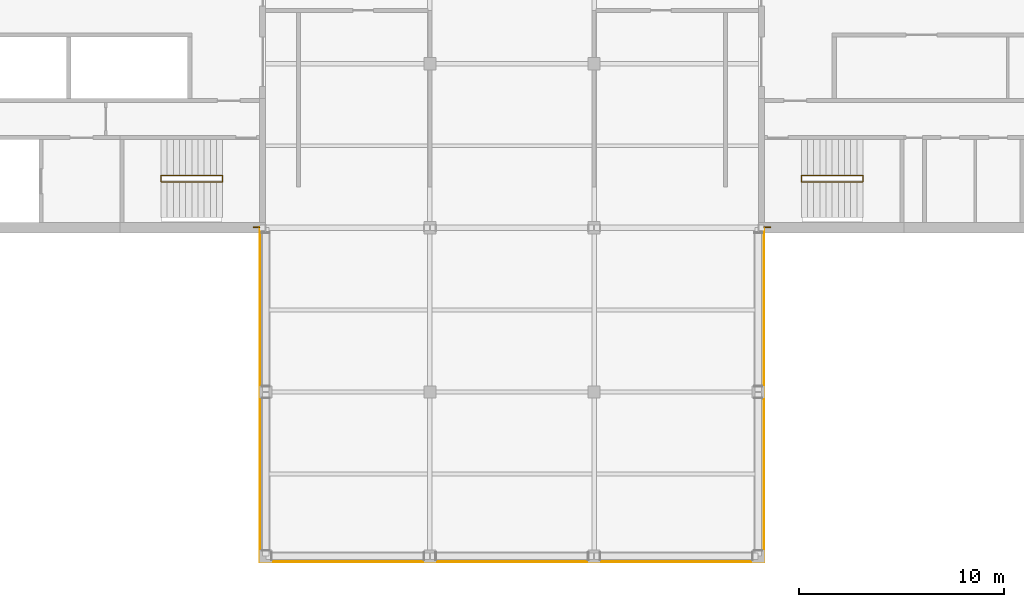
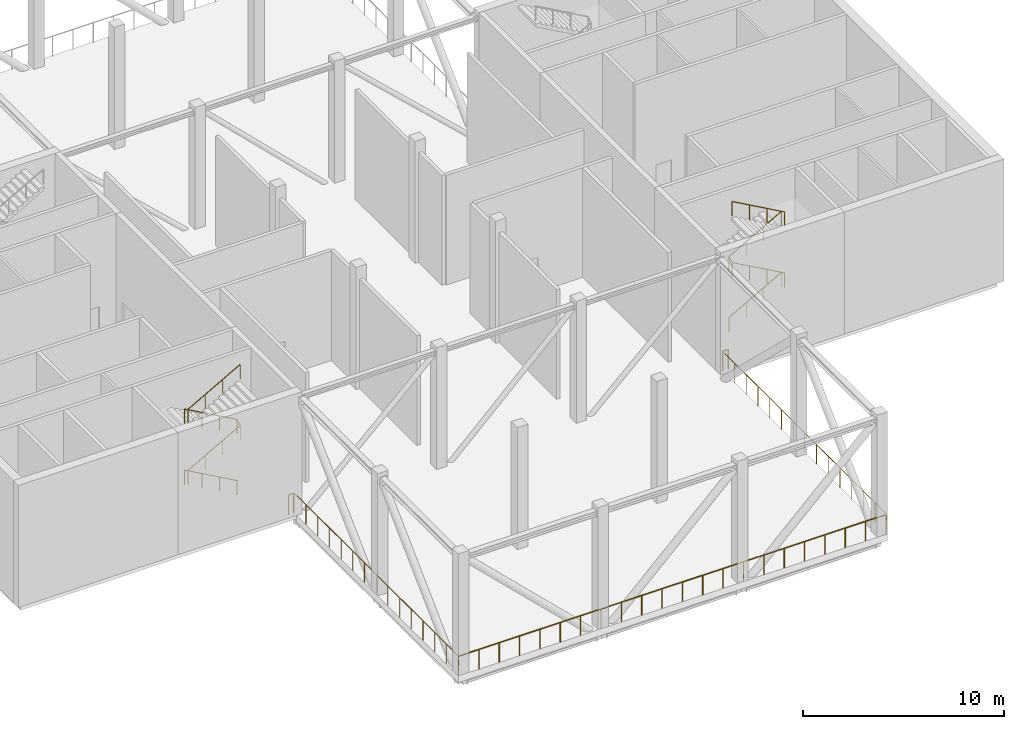
# One storey, part 8 of 9: 7 railings.
"""IFC4 building model written with IfcOpenShell, lengths in metres."""

from ifc_helpers import new_model, si_unit, direction, frame, origin, origin_2d, place, context, subcontext, project, spatial, circle, extrude, material, type_object, element, save


model = new_model("IFC4")

# Units and contexts
model_context = context("Model", 3, precision=1e-05, world=origin(), true_north=direction((0.0, 1.0)))
body_context = subcontext(model_context, "Body", "Model", "MODEL_VIEW")
ifc_project = project(units=[si_unit("LENGTHUNIT", "METRE"), si_unit("AREAUNIT", "SQUARE_METRE"), si_unit("VOLUMEUNIT", "CUBIC_METRE"), si_unit("PLANEANGLEUNIT", "RADIAN"), si_unit("MASSUNIT", "GRAM", prefix="KILO")], contexts=[model_context])

# Site, building, storey
site_placement = place(None, origin())
site = spatial("IfcSite", under=ifc_project, at=site_placement, CompositionType="ELEMENT")
building_placement = place(site_placement, origin())
building = spatial("IfcBuilding", under=site, at=building_placement, Name="Crosswind Convention Tower", CompositionType="ELEMENT")
storey_placement = place(building_placement, frame((0.0, 0.0, 303.89990234375)))
storey = spatial("IfcBuildingStorey", under=building, at=storey_placement, Name="L66", CompositionType="ELEMENT", Elevation=303.89990234375)

# Railings
ifc_material_1 = material(Name="Stainless steel", Category="steel")
railing_type_1 = type_object("IfcRailingType", Name="Stair handrail 900", PredefinedType="HANDRAIL", material=ifc_material_1)
railing_1_placement = place(storey_placement, frame((139.10009765625, 90.56005859375, 0.168212890625)))
element("IfcRailing", 1, at=railing_1_placement, inside=storey, type_object=railing_type_1, Name="Stair ST2 handrail L66", PredefinedType="HANDRAIL", context=body_context, shape_type="SweptSolid", body=[
    extrude(circle(Radius=0.02392578125, at=origin_2d()), frame((0.0, 0.0, 0.8759765625), z_axis=(0.872272294576, 0.0, 0.489020494575), x_axis=(0.0, 1.0, 0.0)), (0.0, 0.0, 1.0), 3.439208984375),
    extrude(circle(Radius=0.02392578125, at=origin_2d()), frame((3.0, 0.0, 2.5576171875), z_axis=(0.0, -0.885196349292, 0.465217608438), x_axis=(1.0, 0.0, 0.0)), (0.0, 0.0, 1.0), 0.361572265625),
    extrude(circle(Radius=0.02392578125, at=origin_2d()), frame((3.0, -0.320068359375, 2.72607421875), z_axis=(-0.872272294576, 0.0, 0.489020494575), x_axis=(0.0, -1.0, 0.0)), (0.0, 0.0, 1.0), 3.439208984375),
    extrude(circle(Radius=0.02392578125, at=origin_2d()), frame((0.0, -0.320068359375, 4.40771484375), z_axis=(0.0, 0.885474334664, 0.464688285468), x_axis=(-1.0, 0.0, 0.0)), (0.0, 0.0, 1.0), 0.361572265625),
    extrude(circle(Radius=0.02392578125, at=origin_2d()), frame((0.0, 0.0, 4.57568359375), z_axis=(0.872272294576, 0.0, 0.489020494575), x_axis=(0.0, 1.0, 0.0)), (0.0, 0.0, 1.0), 3.439208984375),
    extrude(circle(Radius=0.02392578125, at=origin_2d()), frame((3.0, 0.0, 6.2578125), z_axis=(0.0, -0.885196349292, 0.465217608438), x_axis=(1.0, 0.0, 0.0)), (0.0, 0.0, 1.0), 0.361572265625),
    extrude(circle(Radius=0.02392578125, at=origin_2d()), frame((3.0, -0.320068359375, 6.42578125), z_axis=(-0.872272294576, 0.0, 0.489020494575), x_axis=(0.0, -1.0, 0.0)), (0.0, 0.0, 1.0), 3.439208984375),
    extrude(circle(Radius=0.02099609375, at=origin_2d()), origin(), (0.0, 0.0, 1.0), 0.851806640625),
    extrude(circle(Radius=0.02099609375, at=origin_2d()), frame((1.0, 0.0, 0.560546875)), (0.0, 0.0, 1.0), 0.851806640625),
    extrude(circle(Radius=0.02099609375, at=origin_2d()), frame((2.0, 0.0, 1.121337890625)), (0.0, 0.0, 1.0), 0.851806640625),
    extrude(circle(Radius=0.02099609375, at=origin_2d()), frame((3.0, 0.0, 1.681884765625)), (0.0, 0.0, 1.0), 0.851806640625),
    extrude(circle(Radius=0.02099609375, at=origin_2d()), frame((3.0, -0.320068359375, 1.85009765625)), (0.0, 0.0, 1.0), 0.851806640625),
    extrude(circle(Radius=0.02099609375, at=origin_2d()), frame((2.0, -0.320068359375, 2.41064453125)), (0.0, 0.0, 1.0), 0.851806640625),
    extrude(circle(Radius=0.02099609375, at=origin_2d()), frame((1.0, -0.320068359375, 2.971435546875)), (0.0, 0.0, 1.0), 0.851806640625),
    extrude(circle(Radius=0.02099609375, at=origin_2d()), frame((0.0, -0.320068359375, 3.531982421875)), (0.0, 0.0, 1.0), 0.851806640625),
    extrude(circle(Radius=0.02099609375, at=origin_2d()), frame((0.0, 0.0, 3.699951171875)), (0.0, 0.0, 1.0), 0.851806640625),
    extrude(circle(Radius=0.02099609375, at=origin_2d()), frame((1.0, 0.0, 4.260498046875)), (0.0, 0.0, 1.0), 0.851806640625),
    extrude(circle(Radius=0.02099609375, at=origin_2d()), frame((2.0, 0.0, 4.8212890625)), (0.0, 0.0, 1.0), 0.851806640625),
    extrude(circle(Radius=0.02099609375, at=origin_2d()), frame((3.0, 0.0, 5.3818359375)), (0.0, 0.0, 1.0), 0.851806640625),
    extrude(circle(Radius=0.02099609375, at=origin_2d()), frame((3.0, -0.320068359375, 5.550048828125)), (0.0, 0.0, 1.0), 0.851806640625),
    extrude(circle(Radius=0.02099609375, at=origin_2d()), frame((2.0, -0.320068359375, 6.110595703125)), (0.0, 0.0, 1.0), 0.851806640625),
    extrude(circle(Radius=0.02099609375, at=origin_2d()), frame((1.0, -0.320068359375, 6.67138671875)), (0.0, 0.0, 1.0), 0.851806640625),
    extrude(circle(Radius=0.02099609375, at=origin_2d()), frame((0.0, -0.320068359375, 7.23193359375)), (0.0, 0.0, 1.0), 0.851806640625),
])
railing_2_placement = place(storey_placement, frame((110.89990234375, 90.56005859375, 0.168212890625)))
element("IfcRailing", 2, at=railing_2_placement, inside=storey, type_object=railing_type_1, Name="Stair ST3 handrail L66", PredefinedType="HANDRAIL", context=body_context, shape_type="SweptSolid", body=[
    extrude(circle(Radius=0.02392578125, at=origin_2d()), frame((0.0, 0.0, 0.8759765625), z_axis=(-0.872272294576, 0.0, 0.489020494575), x_axis=(0.0, -1.0, 0.0)), (0.0, 0.0, 1.0), 3.439208984375),
    extrude(circle(Radius=0.02392578125, at=origin_2d()), frame((-3.0, 0.0, 2.5576171875), z_axis=(0.0, -0.885196349292, 0.465217608438), x_axis=(1.0, 0.0, 0.0)), (0.0, 0.0, 1.0), 0.361572265625),
    extrude(circle(Radius=0.02392578125, at=origin_2d()), frame((-3.0, -0.320068359375, 2.72607421875), z_axis=(0.872272294576, 0.0, 0.489020494575), x_axis=(0.0, 1.0, 0.0)), (0.0, 0.0, 1.0), 3.439208984375),
    extrude(circle(Radius=0.02392578125, at=origin_2d()), frame((0.0, -0.320068359375, 4.40771484375), z_axis=(0.0, 0.885474334664, 0.464688285468), x_axis=(-1.0, 0.0, 0.0)), (0.0, 0.0, 1.0), 0.361572265625),
    extrude(circle(Radius=0.02392578125, at=origin_2d()), frame((0.0, 0.0, 4.57568359375), z_axis=(-0.872272294576, 0.0, 0.489020494575), x_axis=(0.0, -1.0, 0.0)), (0.0, 0.0, 1.0), 3.439208984375),
    extrude(circle(Radius=0.02392578125, at=origin_2d()), frame((-3.0, 0.0, 6.2578125), z_axis=(0.0, -0.885196349292, 0.465217608438), x_axis=(1.0, 0.0, 0.0)), (0.0, 0.0, 1.0), 0.361572265625),
    extrude(circle(Radius=0.02392578125, at=origin_2d()), frame((-3.0, -0.320068359375, 6.42578125), z_axis=(0.872272294576, 0.0, 0.489020494575), x_axis=(0.0, 1.0, 0.0)), (0.0, 0.0, 1.0), 3.439208984375),
    extrude(circle(Radius=0.02099609375, at=origin_2d()), origin(), (0.0, 0.0, 1.0), 0.851806640625),
    extrude(circle(Radius=0.02099609375, at=origin_2d()), frame((-1.0, 0.0, 0.560546875)), (0.0, 0.0, 1.0), 0.851806640625),
    extrude(circle(Radius=0.02099609375, at=origin_2d()), frame((-2.0, 0.0, 1.121337890625)), (0.0, 0.0, 1.0), 0.851806640625),
    extrude(circle(Radius=0.02099609375, at=origin_2d()), frame((-3.0, 0.0, 1.681884765625)), (0.0, 0.0, 1.0), 0.851806640625),
    extrude(circle(Radius=0.02099609375, at=origin_2d()), frame((-3.0, -0.320068359375, 1.85009765625)), (0.0, 0.0, 1.0), 0.851806640625),
    extrude(circle(Radius=0.02099609375, at=origin_2d()), frame((-2.0, -0.320068359375, 2.41064453125)), (0.0, 0.0, 1.0), 0.851806640625),
    extrude(circle(Radius=0.02099609375, at=origin_2d()), frame((-1.0, -0.320068359375, 2.971435546875)), (0.0, 0.0, 1.0), 0.851806640625),
    extrude(circle(Radius=0.02099609375, at=origin_2d()), frame((0.0, -0.320068359375, 3.531982421875)), (0.0, 0.0, 1.0), 0.851806640625),
    extrude(circle(Radius=0.02099609375, at=origin_2d()), frame((0.0, 0.0, 3.699951171875)), (0.0, 0.0, 1.0), 0.851806640625),
    extrude(circle(Radius=0.02099609375, at=origin_2d()), frame((-1.0, 0.0, 4.260498046875)), (0.0, 0.0, 1.0), 0.851806640625),
    extrude(circle(Radius=0.02099609375, at=origin_2d()), frame((-2.0, 0.0, 4.8212890625)), (0.0, 0.0, 1.0), 0.851806640625),
    extrude(circle(Radius=0.02099609375, at=origin_2d()), frame((-3.0, 0.0, 5.3818359375)), (0.0, 0.0, 1.0), 0.851806640625),
    extrude(circle(Radius=0.02099609375, at=origin_2d()), frame((-3.0, -0.320068359375, 5.550048828125)), (0.0, 0.0, 1.0), 0.851806640625),
    extrude(circle(Radius=0.02099609375, at=origin_2d()), frame((-2.0, -0.320068359375, 6.110595703125)), (0.0, 0.0, 1.0), 0.851806640625),
    extrude(circle(Radius=0.02099609375, at=origin_2d()), frame((-1.0, -0.320068359375, 6.67138671875)), (0.0, 0.0, 1.0), 0.851806640625),
    extrude(circle(Radius=0.02099609375, at=origin_2d()), frame((0.0, -0.320068359375, 7.23193359375)), (0.0, 0.0, 1.0), 0.851806640625),
])
ifc_material_2 = material(Name="Stainless steel guard", Category="steel")
railing_type_2 = type_object("IfcRailingType", Name="WIND FLOOR GUARD 1200", PredefinedType="GUARDRAIL", material=ifc_material_2)
railing_3_placement = place(storey_placement, frame((137.60009765625, 88.02490234375, 0.0)))
element("IfcRailing", 3, at=railing_3_placement, inside=storey, type_object=railing_type_2, Name="R12 guard L66 6", PredefinedType="GUARDRAIL", context=body_context, shape_type="SweptSolid", body=[
    extrude(circle(Radius=0.01904296875, at=origin_2d()), frame((0.0, 0.0, 1.180908203125), z_axis=(-1.0, 0.0, 0.0), x_axis=(0.0, -1.0, 0.0)), (0.0, 0.0, 1.0), 0.3251953125),
    extrude(circle(Radius=0.01611328125, at=origin_2d()), origin(), (0.0, 0.0, 1.0), 1.161865234375),
    extrude(circle(Radius=0.01611328125, at=origin_2d()), frame((-0.3251953125, 0.0, 0.0)), (0.0, 0.0, 1.0), 1.161865234375),
])
railing_4_placement = place(storey_placement, frame((137.27490234375, 87.985107421875, 0.0)))
element("IfcRailing", 4, at=railing_4_placement, inside=storey, type_object=railing_type_2, Name="R12 guard L66 7", PredefinedType="GUARDRAIL", context=body_context, shape_type="SweptSolid", body=[
    extrude(circle(Radius=0.01904296875, at=origin_2d()), frame((0.0, 0.0, 1.180908203125), z_axis=(0.0, -1.0, 0.0), x_axis=(1.0, 0.0, 0.0)), (0.0, 0.0, 1.0), 16.260009765625),
    extrude(circle(Radius=0.01611328125, at=origin_2d()), origin(), (0.0, 0.0, 1.0), 1.161865234375),
    extrude(circle(Radius=0.01611328125, at=origin_2d()), frame((0.0, -1.161376953125, 0.0)), (0.0, 0.0, 1.0), 1.161865234375),
    extrude(circle(Radius=0.01611328125, at=origin_2d()), frame((0.0, -2.32275390625, 0.0)), (0.0, 0.0, 1.0), 1.161865234375),
    extrude(circle(Radius=0.01611328125, at=origin_2d()), frame((0.0, -3.484375, 0.0)), (0.0, 0.0, 1.0), 1.161865234375),
    extrude(circle(Radius=0.01611328125, at=origin_2d()), frame((0.0, -4.645751953125, 0.0)), (0.0, 0.0, 1.0), 1.161865234375),
    extrude(circle(Radius=0.01611328125, at=origin_2d()), frame((0.0, -5.80712890625, 0.0)), (0.0, 0.0, 1.0), 1.161865234375),
    extrude(circle(Radius=0.01611328125, at=origin_2d()), frame((0.0, -6.968505859375, 0.0)), (0.0, 0.0, 1.0), 1.161865234375),
    extrude(circle(Radius=0.01611328125, at=origin_2d()), frame((0.0, -8.1298828125, 0.0)), (0.0, 0.0, 1.0), 1.161865234375),
    extrude(circle(Radius=0.01611328125, at=origin_2d()), frame((0.0, -9.29150390625, 0.0)), (0.0, 0.0, 1.0), 1.161865234375),
    extrude(circle(Radius=0.01611328125, at=origin_2d()), frame((0.0, -10.452880859375, 0.0)), (0.0, 0.0, 1.0), 1.161865234375),
    extrude(circle(Radius=0.01611328125, at=origin_2d()), frame((0.0, -11.6142578125, 0.0)), (0.0, 0.0, 1.0), 1.161865234375),
    extrude(circle(Radius=0.01611328125, at=origin_2d()), frame((0.0, -12.775634765625, 0.0)), (0.0, 0.0, 1.0), 1.161865234375),
    extrude(circle(Radius=0.01611328125, at=origin_2d()), frame((0.0, -13.937255859375, 0.0)), (0.0, 0.0, 1.0), 1.161865234375),
    extrude(circle(Radius=0.01611328125, at=origin_2d()), frame((0.0, -15.0986328125, 0.0)), (0.0, 0.0, 1.0), 1.161865234375),
    extrude(circle(Radius=0.01611328125, at=origin_2d()), frame((0.0, -16.260009765625, 0.0)), (0.0, 0.0, 1.0), 1.161865234375),
])
railing_5_placement = place(storey_placement, frame((137.235107421875, 71.72509765625, 0.0)))
element("IfcRailing", 5, at=railing_5_placement, inside=storey, type_object=railing_type_2, Name="R12 guard L66 8", PredefinedType="GUARDRAIL", context=body_context, shape_type="SweptSolid", body=[
    extrude(circle(Radius=0.01904296875, at=origin_2d()), frame((0.0, 0.0, 1.180908203125), z_axis=(-1.0, 0.0, 0.0), x_axis=(0.0, -1.0, 0.0)), (0.0, 0.0, 1.0), 24.510009765625),
    extrude(circle(Radius=0.01611328125, at=origin_2d()), origin(), (0.0, 0.0, 1.0), 1.161865234375),
    extrude(circle(Radius=0.01611328125, at=origin_2d()), frame((-1.167236328125, 0.0, 0.0)), (0.0, 0.0, 1.0), 1.161865234375),
    extrude(circle(Radius=0.01611328125, at=origin_2d()), frame((-2.334228515625, 0.0, 0.0)), (0.0, 0.0, 1.0), 1.161865234375),
    extrude(circle(Radius=0.01611328125, at=origin_2d()), frame((-3.50146484375, 0.0, 0.0)), (0.0, 0.0, 1.0), 1.161865234375),
    extrude(circle(Radius=0.01611328125, at=origin_2d()), frame((-4.66845703125, 0.0, 0.0)), (0.0, 0.0, 1.0), 1.161865234375),
    extrude(circle(Radius=0.01611328125, at=origin_2d()), frame((-5.835693359375, 0.0, 0.0)), (0.0, 0.0, 1.0), 1.161865234375),
    extrude(circle(Radius=0.01611328125, at=origin_2d()), frame((-7.0029296875, 0.0, 0.0)), (0.0, 0.0, 1.0), 1.161865234375),
    extrude(circle(Radius=0.01611328125, at=origin_2d()), frame((-8.169921875, 0.0, 0.0)), (0.0, 0.0, 1.0), 1.161865234375),
    extrude(circle(Radius=0.01611328125, at=origin_2d()), frame((-9.337158203125, 0.0, 0.0)), (0.0, 0.0, 1.0), 1.161865234375),
    extrude(circle(Radius=0.01611328125, at=origin_2d()), frame((-10.50439453125, 0.0, 0.0)), (0.0, 0.0, 1.0), 1.161865234375),
    extrude(circle(Radius=0.01611328125, at=origin_2d()), frame((-11.67138671875, 0.0, 0.0)), (0.0, 0.0, 1.0), 1.161865234375),
    extrude(circle(Radius=0.01611328125, at=origin_2d()), frame((-12.838623046875, 0.0, 0.0)), (0.0, 0.0, 1.0), 1.161865234375),
    extrude(circle(Radius=0.01611328125, at=origin_2d()), frame((-14.005615234375, 0.0, 0.0)), (0.0, 0.0, 1.0), 1.161865234375),
    extrude(circle(Radius=0.01611328125, at=origin_2d()), frame((-15.1728515625, 0.0, 0.0)), (0.0, 0.0, 1.0), 1.161865234375),
    extrude(circle(Radius=0.01611328125, at=origin_2d()), frame((-16.340087890625, 0.0, 0.0)), (0.0, 0.0, 1.0), 1.161865234375),
    extrude(circle(Radius=0.01611328125, at=origin_2d()), frame((-17.507080078125, 0.0, 0.0)), (0.0, 0.0, 1.0), 1.161865234375),
    extrude(circle(Radius=0.01611328125, at=origin_2d()), frame((-18.67431640625, 0.0, 0.0)), (0.0, 0.0, 1.0), 1.161865234375),
    extrude(circle(Radius=0.01611328125, at=origin_2d()), frame((-19.841552734375, 0.0, 0.0)), (0.0, 0.0, 1.0), 1.161865234375),
    extrude(circle(Radius=0.01611328125, at=origin_2d()), frame((-21.008544921875, 0.0, 0.0)), (0.0, 0.0, 1.0), 1.161865234375),
    extrude(circle(Radius=0.01611328125, at=origin_2d()), frame((-22.17578125, 0.0, 0.0)), (0.0, 0.0, 1.0), 1.161865234375),
    extrude(circle(Radius=0.01611328125, at=origin_2d()), frame((-23.3427734375, 0.0, 0.0)), (0.0, 0.0, 1.0), 1.161865234375),
    extrude(circle(Radius=0.01611328125, at=origin_2d()), frame((-24.510009765625, 0.0, 0.0)), (0.0, 0.0, 1.0), 1.161865234375),
])
railing_6_placement = place(storey_placement, frame((112.72509765625, 71.764892578125, 0.0)))
element("IfcRailing", 6, at=railing_6_placement, inside=storey, type_object=railing_type_2, Name="R12 guard L66 9", PredefinedType="GUARDRAIL", context=body_context, shape_type="SweptSolid", body=[
    extrude(circle(Radius=0.01904296875, at=origin_2d()), frame((0.0, 0.0, 1.180908203125), z_axis=(0.0, 1.0, 0.0), x_axis=(-1.0, 0.0, 0.0)), (0.0, 0.0, 1.0), 16.260009765625),
    extrude(circle(Radius=0.01611328125, at=origin_2d()), origin(), (0.0, 0.0, 1.0), 1.161865234375),
    extrude(circle(Radius=0.01611328125, at=origin_2d()), frame((0.0, 1.161376953125, 0.0)), (0.0, 0.0, 1.0), 1.161865234375),
    extrude(circle(Radius=0.01611328125, at=origin_2d()), frame((0.0, 2.32275390625, 0.0)), (0.0, 0.0, 1.0), 1.161865234375),
    extrude(circle(Radius=0.01611328125, at=origin_2d()), frame((0.0, 3.484375, 0.0)), (0.0, 0.0, 1.0), 1.161865234375),
    extrude(circle(Radius=0.01611328125, at=origin_2d()), frame((0.0, 4.645751953125, 0.0)), (0.0, 0.0, 1.0), 1.161865234375),
    extrude(circle(Radius=0.01611328125, at=origin_2d()), frame((0.0, 5.80712890625, 0.0)), (0.0, 0.0, 1.0), 1.161865234375),
    extrude(circle(Radius=0.01611328125, at=origin_2d()), frame((0.0, 6.968505859375, 0.0)), (0.0, 0.0, 1.0), 1.161865234375),
    extrude(circle(Radius=0.01611328125, at=origin_2d()), frame((0.0, 8.1298828125, 0.0)), (0.0, 0.0, 1.0), 1.161865234375),
    extrude(circle(Radius=0.01611328125, at=origin_2d()), frame((0.0, 9.29150390625, 0.0)), (0.0, 0.0, 1.0), 1.161865234375),
    extrude(circle(Radius=0.01611328125, at=origin_2d()), frame((0.0, 10.452880859375, 0.0)), (0.0, 0.0, 1.0), 1.161865234375),
    extrude(circle(Radius=0.01611328125, at=origin_2d()), frame((0.0, 11.6142578125, 0.0)), (0.0, 0.0, 1.0), 1.161865234375),
    extrude(circle(Radius=0.01611328125, at=origin_2d()), frame((0.0, 12.775634765625, 0.0)), (0.0, 0.0, 1.0), 1.161865234375),
    extrude(circle(Radius=0.01611328125, at=origin_2d()), frame((0.0, 13.937255859375, 0.0)), (0.0, 0.0, 1.0), 1.161865234375),
    extrude(circle(Radius=0.01611328125, at=origin_2d()), frame((0.0, 15.0986328125, 0.0)), (0.0, 0.0, 1.0), 1.161865234375),
    extrude(circle(Radius=0.01611328125, at=origin_2d()), frame((0.0, 16.260009765625, 0.0)), (0.0, 0.0, 1.0), 1.161865234375),
])
railing_7_placement = place(storey_placement, frame((112.68505859375, 88.02490234375, 0.0)))
element("IfcRailing", 7, at=railing_7_placement, inside=storey, type_object=railing_type_2, Name="R12 guard L66 10", PredefinedType="GUARDRAIL", context=body_context, shape_type="SweptSolid", body=[
    extrude(circle(Radius=0.01904296875, at=origin_2d()), frame((0.0, 0.0, 1.180908203125), z_axis=(-1.0, 0.0, 0.0), x_axis=(0.0, -1.0, 0.0)), (0.0, 0.0, 1.0), 0.28515625),
    extrude(circle(Radius=0.01611328125, at=origin_2d()), origin(), (0.0, 0.0, 1.0), 1.161865234375),
    extrude(circle(Radius=0.01611328125, at=origin_2d()), frame((-0.28515625, 0.0, 0.0)), (0.0, 0.0, 1.0), 1.161865234375),
])

save(model, "model.ifc")
